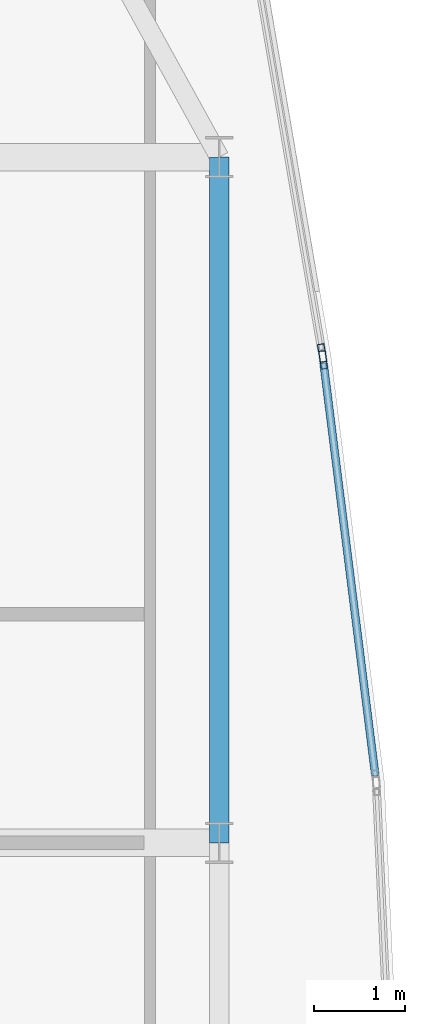
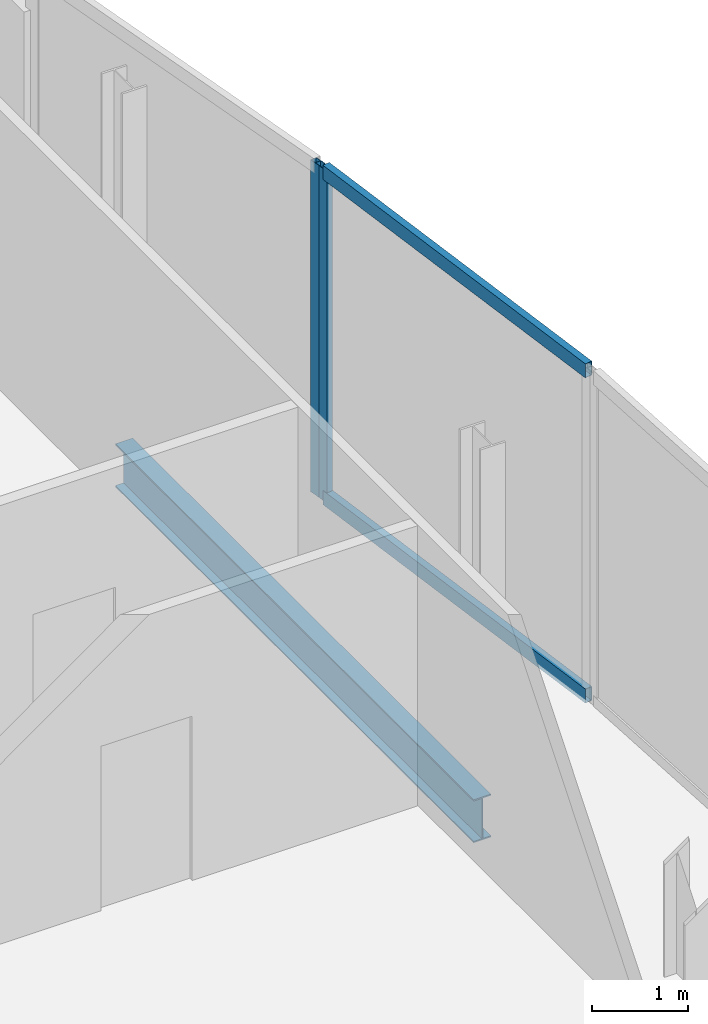
# One storey, part 17 of 27: 4 members, 1 beam, 2 elements without a shape of their own.
"""IFC4 building model written with IfcOpenShell, lengths in metres."""

from ifc_helpers import new_model, si_unit, direction, frame, origin, origin_2d, place, context, subcontext, project, spatial, hollow_rectangle, i_section, extrude, material, material_profile, profile_set, type_object, element, aggregate, save


model = new_model("IFC4")

# Units and contexts
model_context = context("Model", 3, precision=1e-05, world=origin(), true_north=direction((0.0, 1.0)))
body_context = subcontext(model_context, "Body", "Model", "MODEL_VIEW")
ifc_project = project(units=[si_unit("LENGTHUNIT", "METRE"), si_unit("AREAUNIT", "SQUARE_METRE"), si_unit("VOLUMEUNIT", "CUBIC_METRE"), si_unit("PLANEANGLEUNIT", "RADIAN"), si_unit("MASSUNIT", "GRAM", prefix="KILO")], contexts=[model_context])

# Site, building, storey
site_placement = place(None, origin())
site = spatial("IfcSite", under=ifc_project, at=site_placement, CompositionType="ELEMENT")
building_placement = place(site_placement, origin())
building = spatial("IfcBuilding", under=site, at=building_placement, Name="Khoronbel Lancet Exchange", CompositionType="ELEMENT")
storey_placement = place(building_placement, frame((0.0, 0.0, 305.800048828125)))
storey = spatial("IfcBuildingStorey", under=building, at=storey_placement, Name="L79", CompositionType="ELEMENT", Elevation=305.800048828125)

# Beam
ifc_material_1 = material(Name="Steel S355", Category="steel")
ifc_material_profile_1 = material_profile(ifc_material_1, i_section(OverallWidth=0.2099609375, OverallDepth=0.550048828125, WebThickness=0.010986328125, FlangeThickness=0.01708984375, at=origin_2d()), Name="IPE 550")
ifc_profile_set_1 = profile_set([ifc_material_profile_1], Name="Steel S355")
beam_type = type_object("IfcBeamType", Name="BM-BSP3", PredefinedType="SPANDREL", material=ifc_profile_set_1)
beam_placement = place(storey_placement, frame((61.6298828125, 35.699951171875, -0.4951171875), z_axis=(0.0, 1.0, 0.0), x_axis=(-1.0, 0.0, 0.0)))
element("IfcBeam", 1, at=beam_placement, inside=storey, type_object=beam_type, Name="Level L79 perimeter spandrel beam SP12", PredefinedType="SPANDREL", context=body_context, shape_type="SweptSolid", body=[
    extrude(i_section(OverallWidth=0.2099609375, OverallDepth=0.550048828125, WebThickness=0.010986328125, FlangeThickness=0.01708984375, at=origin_2d()), origin(), (0.0, 0.0, 1.0), 7.5),
])

# Curtain wall, member
ifc_material_2 = material(Name="Low-E Solar Control Insulating Glass", Category="glass")
curtain_wall_type = type_object("IfcCurtainWallType", Name="CW-4", PredefinedType="NOTDEFINED", material=ifc_material_2)
curtain_wall_1_placement = place(storey_placement, origin())
curtain_wall_1 = element("IfcCurtainWall", 2, at=curtain_wall_1_placement, inside=storey, type_object=curtain_wall_type, Name="Unitised curtain wall CW-L79-E17", PredefinedType="NOTDEFINED")
ifc_material_3 = material(Name="Bronze-Anodised Aluminium 6063-T6", Category="aluminium")
ifc_material_profile_2 = material_profile(ifc_material_3, hollow_rectangle(XDim=0.074951171875, YDim=0.199951171875, WallThickness=0.0048828125, at=origin_2d()), Name="ALU MULLION 75x200")
ifc_profile_set_2 = profile_set([ifc_material_profile_2], Name="Bronze-Anodised Aluminium 6063-T6")
member_type_1 = type_object("IfcMemberType", Name="MEM-CWM2", PredefinedType="MULLION", material=ifc_profile_set_2)
member_1_placement = place(storey_placement, frame((62.754638671875, 41.05712890625, 0.0), z_axis=(0.0, 0.0, 1.0), x_axis=(0.985620448013, 0.168974354443, 0.0)))
member_1 = element("IfcMember", 3, at=member_1_placement, type_object=member_type_1, Name="CW4 mullion 2", PredefinedType="MULLION", context=body_context, shape_type="SweptSolid", body=[
    extrude(hollow_rectangle(XDim=0.074951171875, YDim=0.199951171875, WallThickness=0.0048828125, at=origin_2d()), origin(), (0.0, 0.0, 1.0), 4.239990234375),
])
aggregate(curtain_wall_1, [member_1])

# Curtain wall, members
curtain_wall_2_placement = place(storey_placement, origin())
curtain_wall_2 = element("IfcCurtainWall", 4, at=curtain_wall_2_placement, inside=storey, type_object=curtain_wall_type, Name="Unitised curtain wall CW-L79-E18", PredefinedType="NOTDEFINED")
member_2_placement = place(storey_placement, frame((62.765625, 40.98291015625, 0.0), z_axis=(0.0, 0.0, 1.0), x_axis=(0.992218486687, 0.124508934127, 0.0)))
member_2 = element("IfcMember", 5, at=member_2_placement, type_object=member_type_1, Name="CW4 mullion 1", PredefinedType="MULLION", context=body_context, shape_type="SweptSolid", body=[
    extrude(hollow_rectangle(XDim=0.074951171875, YDim=0.199951171875, WallThickness=0.0048828125, at=origin_2d()), origin(), (0.0, 0.0, 1.0), 4.239990234375),
])
ifc_material_profile_3 = material_profile(ifc_material_3, hollow_rectangle(XDim=0.0849609375, YDim=0.179931640625, WallThickness=0.0048828125, at=origin_2d()), Name="ALU TRANSOM 85x180")
ifc_profile_set_3 = profile_set([ifc_material_profile_3], Name="Bronze-Anodised Aluminium 6063-T6")
member_type_2 = type_object("IfcMemberType", Name="MEM-CWT1", PredefinedType="USERDEFINED", material=ifc_profile_set_3)
member_3_placement = place(storey_placement, frame((62.770263671875, 40.94580078125, 0.04248046875), z_axis=(0.124543463469, -0.992214153148, 0.0), x_axis=(0.992214153148, 0.124543463469, 0.0)))
member_3 = element("IfcMember", 6, at=member_3_placement, type_object=member_type_2, Name="CW4 transom 1.1", ObjectType="TRANSOM", PredefinedType="USERDEFINED", context=body_context, shape_type="SweptSolid", body=[
    extrude(hollow_rectangle(XDim=0.0849609375, YDim=0.179931640625, WallThickness=0.0048828125, at=origin_2d()), origin(), (0.0, 0.0, 1.0), 4.5478515625),
])
member_4_placement = place(storey_placement, frame((62.770263671875, 40.94580078125, 4.197509765625), z_axis=(0.124543463469, -0.992214153148, 0.0), x_axis=(0.992214153148, 0.124543463469, 0.0)))
member_4 = element("IfcMember", 7, at=member_4_placement, type_object=member_type_2, Name="CW4 transom 1.2", ObjectType="TRANSOM", PredefinedType="USERDEFINED", context=body_context, shape_type="SweptSolid", body=[
    extrude(hollow_rectangle(XDim=0.0849609375, YDim=0.179931640625, WallThickness=0.0048828125, at=origin_2d()), origin(), (0.0, 0.0, 1.0), 4.5478515625),
])
aggregate(curtain_wall_2, [member_2, member_3, member_4])

save(model, "model.ifc")
